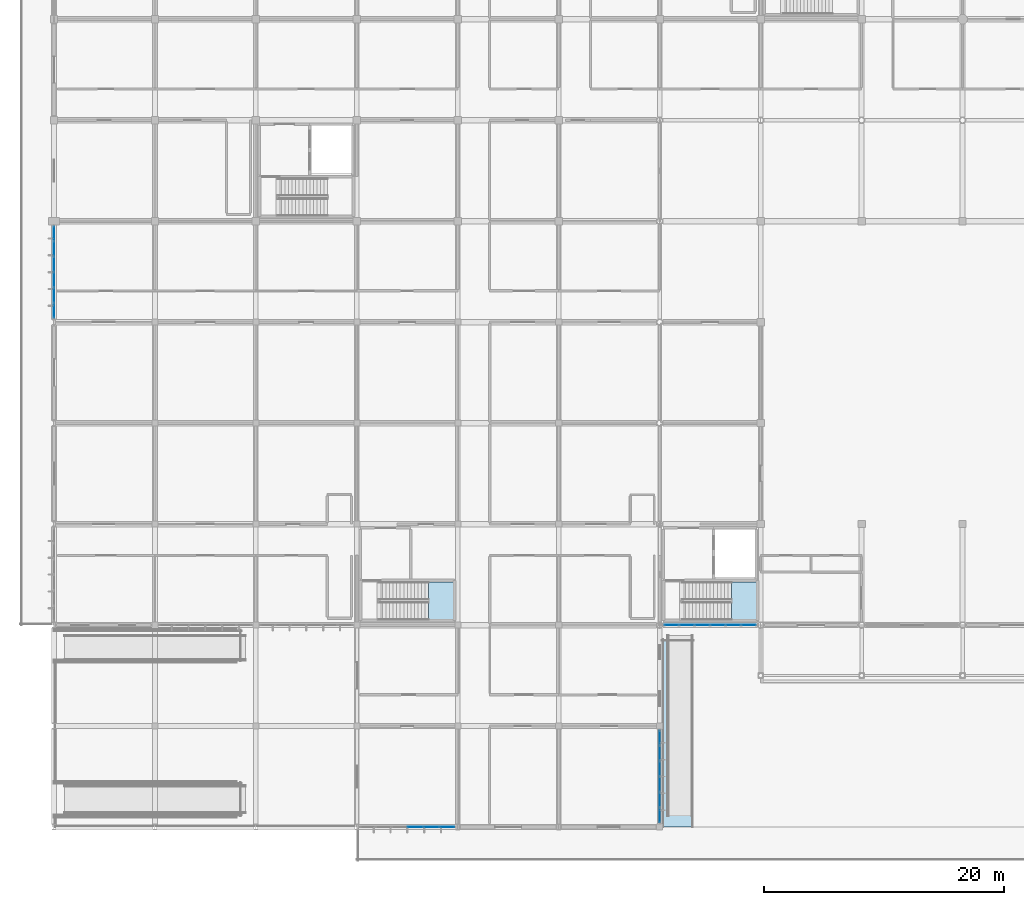
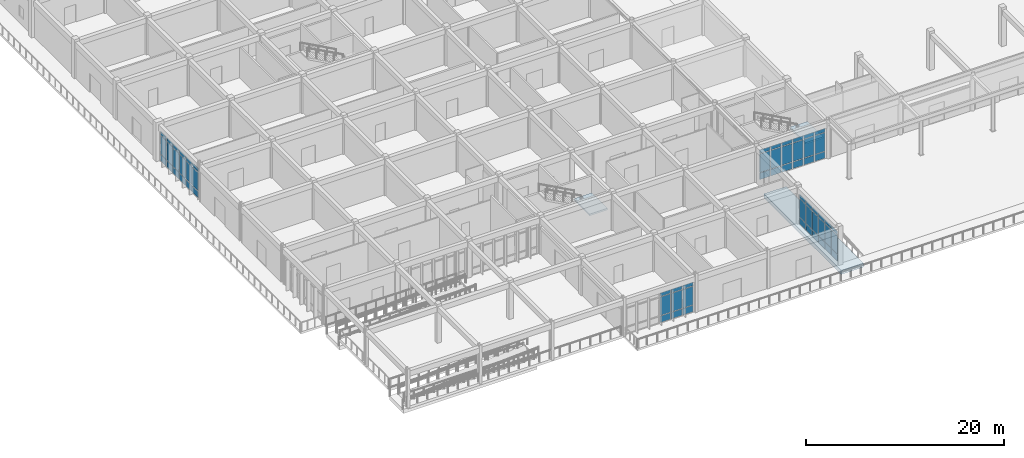
# One storey, part 64 of 138: 63 plates, 3 slabs, 6 elements without a shape of their own.
"""IFC4 building model written with IfcOpenShell, lengths in metres."""

from ifc_helpers import new_model, si_unit, direction, frame, origin, origin_2d, place, context, subcontext, project, spatial, polyline, rectangle, outline, extrude, material, layer, layer_set, type_object, element, aggregate, save


model = new_model("IFC4")

# Units and contexts
model_context = context("Model", 3, precision=1e-05, world=origin(), true_north=direction((0.0, 1.0)))
body_context = subcontext(model_context, "Body", "Model", "MODEL_VIEW")
ifc_project = project(units=[si_unit("LENGTHUNIT", "METRE"), si_unit("AREAUNIT", "SQUARE_METRE"), si_unit("VOLUMEUNIT", "CUBIC_METRE"), si_unit("PLANEANGLEUNIT", "RADIAN"), si_unit("MASSUNIT", "GRAM", prefix="KILO")], contexts=[model_context])

# Site, building, storey
site_placement = place(None, origin())
site = spatial("IfcSite", under=ifc_project, at=site_placement, CompositionType="ELEMENT")
building_placement = place(site_placement, origin())
building = spatial("IfcBuilding", under=site, at=building_placement, Name="Bramfleet General Hospital", CompositionType="ELEMENT")
storey_placement = place(building_placement, origin())
storey = spatial("IfcBuildingStorey", under=building, at=storey_placement, Name="L00", CompositionType="ELEMENT", Elevation=0.0)

# Curtain wall, plates
ifc_material_1 = material(Name="Anodised aluminium and low-E triple glazing", Category="aluminium")
ifc_layer_1 = layer(ifc_material_1, 0.179931640625, Name="CWT-CW-01")
ifc_layer_set_1 = layer_set([ifc_layer_1], Name="Anodised aluminium and low-E triple glazing")
curtain_wall_type_1 = type_object("IfcCurtainWallType", Name="CWT-CW-01", PredefinedType="USERDEFINED", material=ifc_layer_set_1)
curtain_wall_1_placement = place(storey_placement, origin())
curtain_wall_1 = element("IfcCurtainWall", 1, at=curtain_wall_1_placement, inside=storey, type_object=curtain_wall_type_1, Name="L00 Curtain Wall 1", ObjectType="Unitised curtain wall", PredefinedType="USERDEFINED")
ifc_material_2 = material(Name="Low-E laminated safety glass", Category="glass")
ifc_layer_2 = layer(ifc_material_2, 0.028076171875, Name="CWP-GLZ-1")
ifc_layer_set_2 = layer_set([ifc_layer_2], Name="Low-E laminated safety glass")
plate_type_1 = type_object("IfcPlateType", Name="CWP-GLZ-1", PredefinedType="CURTAIN_PANEL", material=ifc_layer_set_2)
plate_1_placement = place(storey_placement, frame((0.0, 42.961181640625, 0.06494140625), z_axis=(0.0, 0.0, 1.0), x_axis=(0.0, 1.0, 0.0)))
plate_1 = element("IfcPlate", 2, at=plate_1_placement, type_object=plate_type_1, Name="CW-01 panel 1.1", PredefinedType="CURTAIN_PANEL", context=body_context, shape_type="SweptSolid", body=[
    extrude(rectangle(XDim=1.1826171875, YDim=0.028076171875, at=origin_2d()), origin(), (0.0, 0.0, 1.0), 0.802490234375),
])
plate_2_placement = place(storey_placement, frame((0.0, 42.961181640625, 0.9326171875), z_axis=(0.0, 0.0, 1.0), x_axis=(0.0, 1.0, 0.0)))
plate_2 = element("IfcPlate", 3, at=plate_2_placement, type_object=plate_type_1, Name="CW-01 panel 1.2", PredefinedType="CURTAIN_PANEL", context=body_context, shape_type="SweptSolid", body=[
    extrude(rectangle(XDim=1.1826171875, YDim=0.028076171875, at=origin_2d()), origin(), (0.0, 0.0, 1.0), 2.27490234375),
])
plate_3_placement = place(storey_placement, frame((0.0, 42.961181640625, 3.2724609375), z_axis=(0.0, 0.0, 1.0), x_axis=(0.0, 1.0, 0.0)))
plate_3 = element("IfcPlate", 4, at=plate_3_placement, type_object=plate_type_1, Name="CW-01 panel 1.3", PredefinedType="CURTAIN_PANEL", context=body_context, shape_type="SweptSolid", body=[
    extrude(rectangle(XDim=1.1826171875, YDim=0.028076171875, at=origin_2d()), origin(), (0.0, 0.0, 1.0), 0.452392578125),
])
plate_4_placement = place(storey_placement, frame((0.0, 44.231201171875, 0.06494140625), z_axis=(0.0, 0.0, 1.0), x_axis=(0.0, 1.0, 0.0)))
plate_4 = element("IfcPlate", 5, at=plate_4_placement, type_object=plate_type_1, Name="CW-01 panel 2.1", PredefinedType="CURTAIN_PANEL", context=body_context, shape_type="SweptSolid", body=[
    extrude(rectangle(XDim=1.217529296875, YDim=0.028076171875, at=origin_2d()), origin(), (0.0, 0.0, 1.0), 0.802490234375),
])
plate_5_placement = place(storey_placement, frame((0.0, 44.231201171875, 0.9326171875), z_axis=(0.0, 0.0, 1.0), x_axis=(0.0, 1.0, 0.0)))
plate_5 = element("IfcPlate", 6, at=plate_5_placement, type_object=plate_type_1, Name="CW-01 panel 2.2", PredefinedType="CURTAIN_PANEL", context=body_context, shape_type="SweptSolid", body=[
    extrude(rectangle(XDim=1.217529296875, YDim=0.028076171875, at=origin_2d()), origin(), (0.0, 0.0, 1.0), 2.27490234375),
])
plate_6_placement = place(storey_placement, frame((0.0, 44.231201171875, 3.2724609375), z_axis=(0.0, 0.0, 1.0), x_axis=(0.0, 1.0, 0.0)))
plate_6 = element("IfcPlate", 7, at=plate_6_placement, type_object=plate_type_1, Name="CW-01 panel 2.3", PredefinedType="CURTAIN_PANEL", context=body_context, shape_type="SweptSolid", body=[
    extrude(rectangle(XDim=1.217529296875, YDim=0.028076171875, at=origin_2d()), origin(), (0.0, 0.0, 1.0), 0.452392578125),
])
plate_7_placement = place(storey_placement, frame((0.0, 45.518798828125, 0.06494140625), z_axis=(0.0, 0.0, 1.0), x_axis=(0.0, 1.0, 0.0)))
plate_7 = element("IfcPlate", 8, at=plate_7_placement, type_object=plate_type_1, Name="CW-01 panel 3.1", PredefinedType="CURTAIN_PANEL", context=body_context, shape_type="SweptSolid", body=[
    extrude(rectangle(XDim=1.217529296875, YDim=0.028076171875, at=origin_2d()), origin(), (0.0, 0.0, 1.0), 0.802490234375),
])
plate_8_placement = place(storey_placement, frame((0.0, 45.518798828125, 0.9326171875), z_axis=(0.0, 0.0, 1.0), x_axis=(0.0, 1.0, 0.0)))
plate_8 = element("IfcPlate", 9, at=plate_8_placement, type_object=plate_type_1, Name="CW-01 panel 3.2", PredefinedType="CURTAIN_PANEL", context=body_context, shape_type="SweptSolid", body=[
    extrude(rectangle(XDim=1.217529296875, YDim=0.028076171875, at=origin_2d()), origin(), (0.0, 0.0, 1.0), 2.27490234375),
])
plate_9_placement = place(storey_placement, frame((0.0, 45.518798828125, 3.2724609375), z_axis=(0.0, 0.0, 1.0), x_axis=(0.0, 1.0, 0.0)))
plate_9 = element("IfcPlate", 10, at=plate_9_placement, type_object=plate_type_1, Name="CW-01 panel 3.3", PredefinedType="CURTAIN_PANEL", context=body_context, shape_type="SweptSolid", body=[
    extrude(rectangle(XDim=1.217529296875, YDim=0.028076171875, at=origin_2d()), origin(), (0.0, 0.0, 1.0), 0.452392578125),
])
plate_10_placement = place(storey_placement, frame((0.0, 46.80615234375, 0.06494140625), z_axis=(0.0, 0.0, 1.0), x_axis=(0.0, 1.0, 0.0)))
plate_10 = element("IfcPlate", 11, at=plate_10_placement, type_object=plate_type_1, Name="CW-01 panel 4.1", PredefinedType="CURTAIN_PANEL", context=body_context, shape_type="SweptSolid", body=[
    extrude(rectangle(XDim=1.217529296875, YDim=0.028076171875, at=origin_2d()), origin(), (0.0, 0.0, 1.0), 0.802490234375),
])
plate_11_placement = place(storey_placement, frame((0.0, 46.80615234375, 0.9326171875), z_axis=(0.0, 0.0, 1.0), x_axis=(0.0, 1.0, 0.0)))
plate_11 = element("IfcPlate", 12, at=plate_11_placement, type_object=plate_type_1, Name="CW-01 panel 4.2", PredefinedType="CURTAIN_PANEL", context=body_context, shape_type="SweptSolid", body=[
    extrude(rectangle(XDim=1.217529296875, YDim=0.028076171875, at=origin_2d()), origin(), (0.0, 0.0, 1.0), 2.27490234375),
])
plate_12_placement = place(storey_placement, frame((0.0, 46.80615234375, 3.2724609375), z_axis=(0.0, 0.0, 1.0), x_axis=(0.0, 1.0, 0.0)))
plate_12 = element("IfcPlate", 13, at=plate_12_placement, type_object=plate_type_1, Name="CW-01 panel 4.3", PredefinedType="CURTAIN_PANEL", context=body_context, shape_type="SweptSolid", body=[
    extrude(rectangle(XDim=1.217529296875, YDim=0.028076171875, at=origin_2d()), origin(), (0.0, 0.0, 1.0), 0.452392578125),
])
plate_13_placement = place(storey_placement, frame((0.0, 48.09375, 0.06494140625), z_axis=(0.0, 0.0, 1.0), x_axis=(0.0, 1.0, 0.0)))
plate_13 = element("IfcPlate", 14, at=plate_13_placement, type_object=plate_type_1, Name="CW-01 panel 5.1", PredefinedType="CURTAIN_PANEL", context=body_context, shape_type="SweptSolid", body=[
    extrude(rectangle(XDim=1.217529296875, YDim=0.028076171875, at=origin_2d()), origin(), (0.0, 0.0, 1.0), 0.802490234375),
])
plate_14_placement = place(storey_placement, frame((0.0, 48.09375, 0.9326171875), z_axis=(0.0, 0.0, 1.0), x_axis=(0.0, 1.0, 0.0)))
plate_14 = element("IfcPlate", 15, at=plate_14_placement, type_object=plate_type_1, Name="CW-01 panel 5.2", PredefinedType="CURTAIN_PANEL", context=body_context, shape_type="SweptSolid", body=[
    extrude(rectangle(XDim=1.217529296875, YDim=0.028076171875, at=origin_2d()), origin(), (0.0, 0.0, 1.0), 2.27490234375),
])
plate_15_placement = place(storey_placement, frame((0.0, 48.09375, 3.2724609375), z_axis=(0.0, 0.0, 1.0), x_axis=(0.0, 1.0, 0.0)))
plate_15 = element("IfcPlate", 16, at=plate_15_placement, type_object=plate_type_1, Name="CW-01 panel 5.3", PredefinedType="CURTAIN_PANEL", context=body_context, shape_type="SweptSolid", body=[
    extrude(rectangle(XDim=1.217529296875, YDim=0.028076171875, at=origin_2d()), origin(), (0.0, 0.0, 1.0), 0.452392578125),
])
plate_16_placement = place(storey_placement, frame((0.0, 49.36376953125, 0.06494140625), z_axis=(0.0, 0.0, 1.0), x_axis=(0.0, 1.0, 0.0)))
plate_16 = element("IfcPlate", 17, at=plate_16_placement, type_object=plate_type_1, Name="CW-01 panel 6.1", PredefinedType="CURTAIN_PANEL", context=body_context, shape_type="SweptSolid", body=[
    extrude(rectangle(XDim=1.1826171875, YDim=0.028076171875, at=origin_2d()), origin(), (0.0, 0.0, 1.0), 0.802490234375),
])
plate_17_placement = place(storey_placement, frame((0.0, 49.36376953125, 0.9326171875), z_axis=(0.0, 0.0, 1.0), x_axis=(0.0, 1.0, 0.0)))
plate_17 = element("IfcPlate", 18, at=plate_17_placement, type_object=plate_type_1, Name="CW-01 panel 6.2", PredefinedType="CURTAIN_PANEL", context=body_context, shape_type="SweptSolid", body=[
    extrude(rectangle(XDim=1.1826171875, YDim=0.028076171875, at=origin_2d()), origin(), (0.0, 0.0, 1.0), 2.27490234375),
])
plate_18_placement = place(storey_placement, frame((0.0, 49.36376953125, 3.2724609375), z_axis=(0.0, 0.0, 1.0), x_axis=(0.0, 1.0, 0.0)))
plate_18 = element("IfcPlate", 19, at=plate_18_placement, type_object=plate_type_1, Name="CW-01 panel 6.3", PredefinedType="CURTAIN_PANEL", context=body_context, shape_type="SweptSolid", body=[
    extrude(rectangle(XDim=1.1826171875, YDim=0.028076171875, at=origin_2d()), origin(), (0.0, 0.0, 1.0), 0.452392578125),
])
aggregate(curtain_wall_1, [plate_1, plate_2, plate_3, plate_4, plate_5, plate_6, plate_7, plate_8, plate_9, plate_10, plate_11, plate_12, plate_13, plate_14, plate_15, plate_16, plate_17, plate_18])

curtain_wall_2_placement = place(storey_placement, origin())
curtain_wall_2 = element("IfcCurtainWall", 20, at=curtain_wall_2_placement, inside=storey, type_object=curtain_wall_type_1, Name="L00 Curtain Wall 37", ObjectType="Unitised curtain wall", PredefinedType="USERDEFINED")
plate_19_placement = place(storey_placement, frame((50.39990234375, 7.41162109375, 0.06494140625), z_axis=(0.0, 0.0, 1.0), x_axis=(0.0, -1.0, 0.0)))
plate_19 = element("IfcPlate", 21, at=plate_19_placement, type_object=plate_type_1, Name="CW-01 panel 1.1", PredefinedType="CURTAIN_PANEL", context=body_context, shape_type="SweptSolid", body=[
    extrude(rectangle(XDim=1.186767578125, YDim=0.028076171875, at=origin_2d()), origin(), (0.0, 0.0, 1.0), 0.802490234375),
])
plate_20_placement = place(storey_placement, frame((50.39990234375, 7.41162109375, 0.9326171875), z_axis=(0.0, 0.0, 1.0), x_axis=(0.0, -1.0, 0.0)))
plate_20 = element("IfcPlate", 22, at=plate_20_placement, type_object=plate_type_1, Name="CW-01 panel 1.2", PredefinedType="CURTAIN_PANEL", context=body_context, shape_type="SweptSolid", body=[
    extrude(rectangle(XDim=1.186767578125, YDim=0.028076171875, at=origin_2d()), origin(), (0.0, 0.0, 1.0), 2.27490234375),
])
plate_21_placement = place(storey_placement, frame((50.39990234375, 7.41162109375, 3.2724609375), z_axis=(0.0, 0.0, 1.0), x_axis=(0.0, -1.0, 0.0)))
plate_21 = element("IfcPlate", 23, at=plate_21_placement, type_object=plate_type_1, Name="CW-01 panel 1.3", PredefinedType="CURTAIN_PANEL", context=body_context, shape_type="SweptSolid", body=[
    extrude(rectangle(XDim=1.186767578125, YDim=0.028076171875, at=origin_2d()), origin(), (0.0, 0.0, 1.0), 0.452392578125),
])
plate_22_placement = place(storey_placement, frame((50.39990234375, 6.137451171875, 0.06494140625), z_axis=(0.0, 0.0, 1.0), x_axis=(0.0, -1.0, 0.0)))
plate_22 = element("IfcPlate", 24, at=plate_22_placement, type_object=plate_type_1, Name="CW-01 panel 2.1", PredefinedType="CURTAIN_PANEL", context=body_context, shape_type="SweptSolid", body=[
    extrude(rectangle(XDim=1.2216796875, YDim=0.028076171875, at=origin_2d()), origin(), (0.0, 0.0, 1.0), 0.802490234375),
])
plate_23_placement = place(storey_placement, frame((50.39990234375, 6.137451171875, 0.9326171875), z_axis=(0.0, 0.0, 1.0), x_axis=(0.0, -1.0, 0.0)))
plate_23 = element("IfcPlate", 25, at=plate_23_placement, type_object=plate_type_1, Name="CW-01 panel 2.2", PredefinedType="CURTAIN_PANEL", context=body_context, shape_type="SweptSolid", body=[
    extrude(rectangle(XDim=1.2216796875, YDim=0.028076171875, at=origin_2d()), origin(), (0.0, 0.0, 1.0), 2.27490234375),
])
plate_24_placement = place(storey_placement, frame((50.39990234375, 6.137451171875, 3.2724609375), z_axis=(0.0, 0.0, 1.0), x_axis=(0.0, -1.0, 0.0)))
plate_24 = element("IfcPlate", 26, at=plate_24_placement, type_object=plate_type_1, Name="CW-01 panel 2.3", PredefinedType="CURTAIN_PANEL", context=body_context, shape_type="SweptSolid", body=[
    extrude(rectangle(XDim=1.2216796875, YDim=0.028076171875, at=origin_2d()), origin(), (0.0, 0.0, 1.0), 0.452392578125),
])
plate_25_placement = place(storey_placement, frame((50.39990234375, 4.845947265625, 0.06494140625), z_axis=(0.0, 0.0, 1.0), x_axis=(0.0, -1.0, 0.0)))
plate_25 = element("IfcPlate", 27, at=plate_25_placement, type_object=plate_type_1, Name="CW-01 panel 3.1", PredefinedType="CURTAIN_PANEL", context=body_context, shape_type="SweptSolid", body=[
    extrude(rectangle(XDim=1.2216796875, YDim=0.028076171875, at=origin_2d()), origin(), (0.0, 0.0, 1.0), 0.802490234375),
])
plate_26_placement = place(storey_placement, frame((50.39990234375, 4.845947265625, 0.9326171875), z_axis=(0.0, 0.0, 1.0), x_axis=(0.0, -1.0, 0.0)))
plate_26 = element("IfcPlate", 28, at=plate_26_placement, type_object=plate_type_1, Name="CW-01 panel 3.2", PredefinedType="CURTAIN_PANEL", context=body_context, shape_type="SweptSolid", body=[
    extrude(rectangle(XDim=1.2216796875, YDim=0.028076171875, at=origin_2d()), origin(), (0.0, 0.0, 1.0), 2.27490234375),
])
plate_27_placement = place(storey_placement, frame((50.39990234375, 4.845947265625, 3.2724609375), z_axis=(0.0, 0.0, 1.0), x_axis=(0.0, -1.0, 0.0)))
plate_27 = element("IfcPlate", 29, at=plate_27_placement, type_object=plate_type_1, Name="CW-01 panel 3.3", PredefinedType="CURTAIN_PANEL", context=body_context, shape_type="SweptSolid", body=[
    extrude(rectangle(XDim=1.2216796875, YDim=0.028076171875, at=origin_2d()), origin(), (0.0, 0.0, 1.0), 0.452392578125),
])
plate_28_placement = place(storey_placement, frame((50.39990234375, 3.55419921875, 0.06494140625), z_axis=(0.0, 0.0, 1.0), x_axis=(0.0, -1.0, 0.0)))
plate_28 = element("IfcPlate", 30, at=plate_28_placement, type_object=plate_type_1, Name="CW-01 panel 4.1", PredefinedType="CURTAIN_PANEL", context=body_context, shape_type="SweptSolid", body=[
    extrude(rectangle(XDim=1.2216796875, YDim=0.028076171875, at=origin_2d()), origin(), (0.0, 0.0, 1.0), 0.802490234375),
])
plate_29_placement = place(storey_placement, frame((50.39990234375, 3.55419921875, 0.9326171875), z_axis=(0.0, 0.0, 1.0), x_axis=(0.0, -1.0, 0.0)))
plate_29 = element("IfcPlate", 31, at=plate_29_placement, type_object=plate_type_1, Name="CW-01 panel 4.2", PredefinedType="CURTAIN_PANEL", context=body_context, shape_type="SweptSolid", body=[
    extrude(rectangle(XDim=1.2216796875, YDim=0.028076171875, at=origin_2d()), origin(), (0.0, 0.0, 1.0), 2.27490234375),
])
plate_30_placement = place(storey_placement, frame((50.39990234375, 3.55419921875, 3.2724609375), z_axis=(0.0, 0.0, 1.0), x_axis=(0.0, -1.0, 0.0)))
plate_30 = element("IfcPlate", 32, at=plate_30_placement, type_object=plate_type_1, Name="CW-01 panel 4.3", PredefinedType="CURTAIN_PANEL", context=body_context, shape_type="SweptSolid", body=[
    extrude(rectangle(XDim=1.2216796875, YDim=0.028076171875, at=origin_2d()), origin(), (0.0, 0.0, 1.0), 0.452392578125),
])
plate_31_placement = place(storey_placement, frame((50.39990234375, 2.262451171875, 0.06494140625), z_axis=(0.0, 0.0, 1.0), x_axis=(0.0, -1.0, 0.0)))
plate_31 = element("IfcPlate", 33, at=plate_31_placement, type_object=plate_type_1, Name="CW-01 panel 5.1", PredefinedType="CURTAIN_PANEL", context=body_context, shape_type="SweptSolid", body=[
    extrude(rectangle(XDim=1.2216796875, YDim=0.028076171875, at=origin_2d()), origin(), (0.0, 0.0, 1.0), 0.802490234375),
])
plate_32_placement = place(storey_placement, frame((50.39990234375, 2.262451171875, 0.9326171875), z_axis=(0.0, 0.0, 1.0), x_axis=(0.0, -1.0, 0.0)))
plate_32 = element("IfcPlate", 34, at=plate_32_placement, type_object=plate_type_1, Name="CW-01 panel 5.2", PredefinedType="CURTAIN_PANEL", context=body_context, shape_type="SweptSolid", body=[
    extrude(rectangle(XDim=1.2216796875, YDim=0.028076171875, at=origin_2d()), origin(), (0.0, 0.0, 1.0), 2.27490234375),
])
plate_33_placement = place(storey_placement, frame((50.39990234375, 2.262451171875, 3.2724609375), z_axis=(0.0, 0.0, 1.0), x_axis=(0.0, -1.0, 0.0)))
plate_33 = element("IfcPlate", 35, at=plate_33_placement, type_object=plate_type_1, Name="CW-01 panel 5.3", PredefinedType="CURTAIN_PANEL", context=body_context, shape_type="SweptSolid", body=[
    extrude(rectangle(XDim=1.2216796875, YDim=0.028076171875, at=origin_2d()), origin(), (0.0, 0.0, 1.0), 0.452392578125),
])
plate_34_placement = place(storey_placement, frame((50.39990234375, 0.98828125, 0.06494140625), z_axis=(0.0, 0.0, 1.0), x_axis=(0.0, -1.0, 0.0)))
plate_34 = element("IfcPlate", 36, at=plate_34_placement, type_object=plate_type_1, Name="CW-01 panel 6.1", PredefinedType="CURTAIN_PANEL", context=body_context, shape_type="SweptSolid", body=[
    extrude(rectangle(XDim=1.186767578125, YDim=0.028076171875, at=origin_2d()), origin(), (0.0, 0.0, 1.0), 0.802490234375),
])
plate_35_placement = place(storey_placement, frame((50.39990234375, 0.98828125, 0.9326171875), z_axis=(0.0, 0.0, 1.0), x_axis=(0.0, -1.0, 0.0)))
plate_35 = element("IfcPlate", 37, at=plate_35_placement, type_object=plate_type_1, Name="CW-01 panel 6.2", PredefinedType="CURTAIN_PANEL", context=body_context, shape_type="SweptSolid", body=[
    extrude(rectangle(XDim=1.186767578125, YDim=0.028076171875, at=origin_2d()), origin(), (0.0, 0.0, 1.0), 2.27490234375),
])
plate_36_placement = place(storey_placement, frame((50.39990234375, 0.98828125, 3.2724609375), z_axis=(0.0, 0.0, 1.0), x_axis=(0.0, -1.0, 0.0)))
plate_36 = element("IfcPlate", 38, at=plate_36_placement, type_object=plate_type_1, Name="CW-01 panel 6.3", PredefinedType="CURTAIN_PANEL", context=body_context, shape_type="SweptSolid", body=[
    extrude(rectangle(XDim=1.186767578125, YDim=0.028076171875, at=origin_2d()), origin(), (0.0, 0.0, 1.0), 0.452392578125),
])
aggregate(curtain_wall_2, [plate_19, plate_20, plate_21, plate_22, plate_23, plate_24, plate_25, plate_26, plate_27, plate_28, plate_29, plate_30, plate_31, plate_32, plate_33, plate_34, plate_35, plate_36])

ifc_layer_3 = layer(ifc_material_1, 0.179931640625, Name="CWT-CW-02")
ifc_layer_set_3 = layer_set([ifc_layer_3], Name="Anodised aluminium and low-E triple glazing")
curtain_wall_type_2 = type_object("IfcCurtainWallType", Name="CWT-CW-02", PredefinedType="USERDEFINED", material=ifc_layer_set_3)
curtain_wall_3_placement = place(storey_placement, origin())
curtain_wall_3 = element("IfcCurtainWall", 39, at=curtain_wall_3_placement, inside=storey, type_object=curtain_wall_type_2, Name="L00 Curtain Wall 38", ObjectType="Unitised curtain wall", PredefinedType="USERDEFINED")
ifc_layer_4 = layer(ifc_material_2, 0.031982421875, Name="CWP-GLZ-2")
ifc_layer_set_4 = layer_set([ifc_layer_4], Name="Low-E laminated safety glass")
plate_type_2 = type_object("IfcPlateType", Name="CWP-GLZ-2", PredefinedType="CURTAIN_PANEL", material=ifc_layer_set_4)
plate_37_placement = place(storey_placement, frame((32.695068359375, 0.0, 0.06494140625), z_axis=(0.0, 0.0, 1.0), x_axis=(-1.0, 0.0, 0.0)))
plate_37 = element("IfcPlate", 40, at=plate_37_placement, type_object=plate_type_2, Name="CW-02 panel 1.1", PredefinedType="CURTAIN_PANEL", context=body_context, shape_type="SweptSolid", body=[
    extrude(rectangle(XDim=1.219970703125, YDim=0.031982421875, at=origin_2d()), origin(), (0.0, 0.0, 1.0), 0.802490234375),
])
plate_38_placement = place(storey_placement, frame((32.695068359375, 0.0, 0.9326171875), z_axis=(0.0, 0.0, 1.0), x_axis=(-1.0, 0.0, 0.0)))
plate_38 = element("IfcPlate", 41, at=plate_38_placement, type_object=plate_type_2, Name="CW-02 panel 1.2", PredefinedType="CURTAIN_PANEL", context=body_context, shape_type="SweptSolid", body=[
    extrude(rectangle(XDim=1.219970703125, YDim=0.031982421875, at=origin_2d()), origin(), (0.0, 0.0, 1.0), 2.27490234375),
])
plate_39_placement = place(storey_placement, frame((32.695068359375, 0.0, 3.2724609375), z_axis=(0.0, 0.0, 1.0), x_axis=(-1.0, 0.0, 0.0)))
plate_39 = element("IfcPlate", 42, at=plate_39_placement, type_object=plate_type_2, Name="CW-02 panel 1.3", PredefinedType="CURTAIN_PANEL", context=body_context, shape_type="SweptSolid", body=[
    extrude(rectangle(XDim=1.219970703125, YDim=0.031982421875, at=origin_2d()), origin(), (0.0, 0.0, 1.0), 0.452392578125),
])
plate_40_placement = place(storey_placement, frame((31.387451171875, 0.0, 0.06494140625), z_axis=(0.0, 0.0, 1.0), x_axis=(-1.0, 0.0, 0.0)))
plate_40 = element("IfcPlate", 43, at=plate_40_placement, type_object=plate_type_2, Name="CW-02 panel 2.1", PredefinedType="CURTAIN_PANEL", context=body_context, shape_type="SweptSolid", body=[
    extrude(rectangle(XDim=1.2548828125, YDim=0.031982421875, at=origin_2d()), origin(), (0.0, 0.0, 1.0), 0.802490234375),
])
plate_41_placement = place(storey_placement, frame((31.387451171875, 0.0, 0.9326171875), z_axis=(0.0, 0.0, 1.0), x_axis=(-1.0, 0.0, 0.0)))
plate_41 = element("IfcPlate", 44, at=plate_41_placement, type_object=plate_type_2, Name="CW-02 panel 2.2", PredefinedType="CURTAIN_PANEL", context=body_context, shape_type="SweptSolid", body=[
    extrude(rectangle(XDim=1.2548828125, YDim=0.031982421875, at=origin_2d()), origin(), (0.0, 0.0, 1.0), 2.27490234375),
])
plate_42_placement = place(storey_placement, frame((31.387451171875, 0.0, 3.2724609375), z_axis=(0.0, 0.0, 1.0), x_axis=(-1.0, 0.0, 0.0)))
plate_42 = element("IfcPlate", 45, at=plate_42_placement, type_object=plate_type_2, Name="CW-02 panel 2.3", PredefinedType="CURTAIN_PANEL", context=body_context, shape_type="SweptSolid", body=[
    extrude(rectangle(XDim=1.2548828125, YDim=0.031982421875, at=origin_2d()), origin(), (0.0, 0.0, 1.0), 0.452392578125),
])
plate_43_placement = place(storey_placement, frame((30.0625, 0.0, 0.06494140625), z_axis=(0.0, 0.0, 1.0), x_axis=(-1.0, 0.0, 0.0)))
plate_43 = element("IfcPlate", 46, at=plate_43_placement, type_object=plate_type_2, Name="CW-02 panel 3.1", PredefinedType="CURTAIN_PANEL", context=body_context, shape_type="SweptSolid", body=[
    extrude(rectangle(XDim=1.2548828125, YDim=0.031982421875, at=origin_2d()), origin(), (0.0, 0.0, 1.0), 0.802490234375),
])
plate_44_placement = place(storey_placement, frame((30.0625, 0.0, 0.9326171875), z_axis=(0.0, 0.0, 1.0), x_axis=(-1.0, 0.0, 0.0)))
plate_44 = element("IfcPlate", 47, at=plate_44_placement, type_object=plate_type_2, Name="CW-02 panel 3.2", PredefinedType="CURTAIN_PANEL", context=body_context, shape_type="SweptSolid", body=[
    extrude(rectangle(XDim=1.2548828125, YDim=0.031982421875, at=origin_2d()), origin(), (0.0, 0.0, 1.0), 2.27490234375),
])
plate_45_placement = place(storey_placement, frame((30.0625, 0.0, 3.2724609375), z_axis=(0.0, 0.0, 1.0), x_axis=(-1.0, 0.0, 0.0)))
plate_45 = element("IfcPlate", 48, at=plate_45_placement, type_object=plate_type_2, Name="CW-02 panel 3.3", PredefinedType="CURTAIN_PANEL", context=body_context, shape_type="SweptSolid", body=[
    extrude(rectangle(XDim=1.2548828125, YDim=0.031982421875, at=origin_2d()), origin(), (0.0, 0.0, 1.0), 0.452392578125),
])
aggregate(curtain_wall_3, [plate_37, plate_38, plate_39, plate_40, plate_41, plate_42, plate_43, plate_44, plate_45])

ifc_layer_5 = layer(ifc_material_1, 0.179931640625, Name="CWT-CW-18")
ifc_layer_set_5 = layer_set([ifc_layer_5], Name="Anodised aluminium and low-E triple glazing")
curtain_wall_type_3 = type_object("IfcCurtainWallType", Name="CWT-CW-18", PredefinedType="USERDEFINED", material=ifc_layer_set_5)
curtain_wall_4_placement = place(storey_placement, origin())
curtain_wall_4 = element("IfcCurtainWall", 49, at=curtain_wall_4_placement, inside=storey, type_object=curtain_wall_type_3, Name="L00 Curtain Wall 36", ObjectType="Stick curtain wall", PredefinedType="USERDEFINED")
ifc_layer_6 = layer(ifc_material_2, 0.0419921875, Name="CWP-GLZ-4")
ifc_layer_set_6 = layer_set([ifc_layer_6], Name="Low-E laminated safety glass")
plate_type_3 = type_object("IfcPlateType", Name="CWP-GLZ-4", PredefinedType="CURTAIN_PANEL", material=ifc_layer_set_6)
plate_46_placement = place(storey_placement, frame((57.80712890625, 16.800048828125, 0.06494140625), z_axis=(0.0, 0.0, 1.0), x_axis=(-1.0, 0.0, 0.0)))
plate_46 = element("IfcPlate", 50, at=plate_46_placement, type_object=plate_type_3, Name="CW-18 panel 1.1", PredefinedType="CURTAIN_PANEL", context=body_context, shape_type="SweptSolid", body=[
    extrude(rectangle(XDim=1.177734375, YDim=0.0419921875, at=origin_2d()), origin(), (0.0, 0.0, 1.0), 0.802490234375),
])
plate_47_placement = place(storey_placement, frame((57.80712890625, 16.800048828125, 0.9326171875), z_axis=(0.0, 0.0, 1.0), x_axis=(-1.0, 0.0, 0.0)))
plate_47 = element("IfcPlate", 51, at=plate_47_placement, type_object=plate_type_3, Name="CW-18 panel 1.2", PredefinedType="CURTAIN_PANEL", context=body_context, shape_type="SweptSolid", body=[
    extrude(rectangle(XDim=1.177734375, YDim=0.0419921875, at=origin_2d()), origin(), (0.0, 0.0, 1.0), 2.27490234375),
])
plate_48_placement = place(storey_placement, frame((57.80712890625, 16.800048828125, 3.2724609375), z_axis=(0.0, 0.0, 1.0), x_axis=(-1.0, 0.0, 0.0)))
plate_48 = element("IfcPlate", 52, at=plate_48_placement, type_object=plate_type_3, Name="CW-18 panel 1.3", PredefinedType="CURTAIN_PANEL", context=body_context, shape_type="SweptSolid", body=[
    extrude(rectangle(XDim=1.177734375, YDim=0.0419921875, at=origin_2d()), origin(), (0.0, 0.0, 1.0), 0.452392578125),
])
plate_49_placement = place(storey_placement, frame((56.535400390625, 16.800048828125, 0.06494140625), z_axis=(0.0, 0.0, 1.0), x_axis=(-1.0, 0.0, 0.0)))
plate_49 = element("IfcPlate", 53, at=plate_49_placement, type_object=plate_type_3, Name="CW-18 panel 2.1", PredefinedType="CURTAIN_PANEL", context=body_context, shape_type="SweptSolid", body=[
    extrude(rectangle(XDim=1.21533203125, YDim=0.0419921875, at=origin_2d()), origin(), (0.0, 0.0, 1.0), 0.802490234375),
])
plate_50_placement = place(storey_placement, frame((56.535400390625, 16.800048828125, 0.9326171875), z_axis=(0.0, 0.0, 1.0), x_axis=(-1.0, 0.0, 0.0)))
plate_50 = element("IfcPlate", 54, at=plate_50_placement, type_object=plate_type_3, Name="CW-18 panel 2.2", PredefinedType="CURTAIN_PANEL", context=body_context, shape_type="SweptSolid", body=[
    extrude(rectangle(XDim=1.21533203125, YDim=0.0419921875, at=origin_2d()), origin(), (0.0, 0.0, 1.0), 2.27490234375),
])
plate_51_placement = place(storey_placement, frame((56.535400390625, 16.800048828125, 3.2724609375), z_axis=(0.0, 0.0, 1.0), x_axis=(-1.0, 0.0, 0.0)))
plate_51 = element("IfcPlate", 55, at=plate_51_placement, type_object=plate_type_3, Name="CW-18 panel 2.3", PredefinedType="CURTAIN_PANEL", context=body_context, shape_type="SweptSolid", body=[
    extrude(rectangle(XDim=1.21533203125, YDim=0.0419921875, at=origin_2d()), origin(), (0.0, 0.0, 1.0), 0.452392578125),
])
plate_52_placement = place(storey_placement, frame((55.2451171875, 16.800048828125, 0.06494140625), z_axis=(0.0, 0.0, 1.0), x_axis=(-1.0, 0.0, 0.0)))
plate_52 = element("IfcPlate", 56, at=plate_52_placement, type_object=plate_type_3, Name="CW-18 panel 3.1", PredefinedType="CURTAIN_PANEL", context=body_context, shape_type="SweptSolid", body=[
    extrude(rectangle(XDim=1.21533203125, YDim=0.0419921875, at=origin_2d()), origin(), (0.0, 0.0, 1.0), 0.802490234375),
])
plate_53_placement = place(storey_placement, frame((55.2451171875, 16.800048828125, 0.9326171875), z_axis=(0.0, 0.0, 1.0), x_axis=(-1.0, 0.0, 0.0)))
plate_53 = element("IfcPlate", 57, at=plate_53_placement, type_object=plate_type_3, Name="CW-18 panel 3.2", PredefinedType="CURTAIN_PANEL", context=body_context, shape_type="SweptSolid", body=[
    extrude(rectangle(XDim=1.21533203125, YDim=0.0419921875, at=origin_2d()), origin(), (0.0, 0.0, 1.0), 2.27490234375),
])
plate_54_placement = place(storey_placement, frame((55.2451171875, 16.800048828125, 3.2724609375), z_axis=(0.0, 0.0, 1.0), x_axis=(-1.0, 0.0, 0.0)))
plate_54 = element("IfcPlate", 58, at=plate_54_placement, type_object=plate_type_3, Name="CW-18 panel 3.3", PredefinedType="CURTAIN_PANEL", context=body_context, shape_type="SweptSolid", body=[
    extrude(rectangle(XDim=1.21533203125, YDim=0.0419921875, at=origin_2d()), origin(), (0.0, 0.0, 1.0), 0.452392578125),
])
plate_55_placement = place(storey_placement, frame((53.954833984375, 16.800048828125, 0.06494140625), z_axis=(0.0, 0.0, 1.0), x_axis=(-1.0, 0.0, 0.0)))
plate_55 = element("IfcPlate", 59, at=plate_55_placement, type_object=plate_type_3, Name="CW-18 panel 4.1", PredefinedType="CURTAIN_PANEL", context=body_context, shape_type="SweptSolid", body=[
    extrude(rectangle(XDim=1.21533203125, YDim=0.0419921875, at=origin_2d()), origin(), (0.0, 0.0, 1.0), 0.802490234375),
])
plate_56_placement = place(storey_placement, frame((53.954833984375, 16.800048828125, 0.9326171875), z_axis=(0.0, 0.0, 1.0), x_axis=(-1.0, 0.0, 0.0)))
plate_56 = element("IfcPlate", 60, at=plate_56_placement, type_object=plate_type_3, Name="CW-18 panel 4.2", PredefinedType="CURTAIN_PANEL", context=body_context, shape_type="SweptSolid", body=[
    extrude(rectangle(XDim=1.21533203125, YDim=0.0419921875, at=origin_2d()), origin(), (0.0, 0.0, 1.0), 2.27490234375),
])
plate_57_placement = place(storey_placement, frame((53.954833984375, 16.800048828125, 3.2724609375), z_axis=(0.0, 0.0, 1.0), x_axis=(-1.0, 0.0, 0.0)))
plate_57 = element("IfcPlate", 61, at=plate_57_placement, type_object=plate_type_3, Name="CW-18 panel 4.3", PredefinedType="CURTAIN_PANEL", context=body_context, shape_type="SweptSolid", body=[
    extrude(rectangle(XDim=1.21533203125, YDim=0.0419921875, at=origin_2d()), origin(), (0.0, 0.0, 1.0), 0.452392578125),
])
plate_58_placement = place(storey_placement, frame((52.66455078125, 16.800048828125, 0.06494140625), z_axis=(0.0, 0.0, 1.0), x_axis=(-1.0, 0.0, 0.0)))
plate_58 = element("IfcPlate", 62, at=plate_58_placement, type_object=plate_type_3, Name="CW-18 panel 5.1", PredefinedType="CURTAIN_PANEL", context=body_context, shape_type="SweptSolid", body=[
    extrude(rectangle(XDim=1.21533203125, YDim=0.0419921875, at=origin_2d()), origin(), (0.0, 0.0, 1.0), 0.802490234375),
])
plate_59_placement = place(storey_placement, frame((52.66455078125, 16.800048828125, 0.9326171875), z_axis=(0.0, 0.0, 1.0), x_axis=(-1.0, 0.0, 0.0)))
plate_59 = element("IfcPlate", 63, at=plate_59_placement, type_object=plate_type_3, Name="CW-18 panel 5.2", PredefinedType="CURTAIN_PANEL", context=body_context, shape_type="SweptSolid", body=[
    extrude(rectangle(XDim=1.21533203125, YDim=0.0419921875, at=origin_2d()), origin(), (0.0, 0.0, 1.0), 2.27490234375),
])
plate_60_placement = place(storey_placement, frame((52.66455078125, 16.800048828125, 3.2724609375), z_axis=(0.0, 0.0, 1.0), x_axis=(-1.0, 0.0, 0.0)))
plate_60 = element("IfcPlate", 64, at=plate_60_placement, type_object=plate_type_3, Name="CW-18 panel 5.3", PredefinedType="CURTAIN_PANEL", context=body_context, shape_type="SweptSolid", body=[
    extrude(rectangle(XDim=1.21533203125, YDim=0.0419921875, at=origin_2d()), origin(), (0.0, 0.0, 1.0), 0.452392578125),
])
plate_61_placement = place(storey_placement, frame((51.392822265625, 16.800048828125, 0.06494140625), z_axis=(0.0, 0.0, 1.0), x_axis=(-1.0, 0.0, 0.0)))
plate_61 = element("IfcPlate", 65, at=plate_61_placement, type_object=plate_type_3, Name="CW-18 panel 6.1", PredefinedType="CURTAIN_PANEL", context=body_context, shape_type="SweptSolid", body=[
    extrude(rectangle(XDim=1.177734375, YDim=0.0419921875, at=origin_2d()), origin(), (0.0, 0.0, 1.0), 0.802490234375),
])
plate_62_placement = place(storey_placement, frame((51.392822265625, 16.800048828125, 0.9326171875), z_axis=(0.0, 0.0, 1.0), x_axis=(-1.0, 0.0, 0.0)))
plate_62 = element("IfcPlate", 66, at=plate_62_placement, type_object=plate_type_3, Name="CW-18 panel 6.2", PredefinedType="CURTAIN_PANEL", context=body_context, shape_type="SweptSolid", body=[
    extrude(rectangle(XDim=1.177734375, YDim=0.0419921875, at=origin_2d()), origin(), (0.0, 0.0, 1.0), 2.27490234375),
])
plate_63_placement = place(storey_placement, frame((51.392822265625, 16.800048828125, 3.2724609375), z_axis=(0.0, 0.0, 1.0), x_axis=(-1.0, 0.0, 0.0)))
plate_63 = element("IfcPlate", 67, at=plate_63_placement, type_object=plate_type_3, Name="CW-18 panel 6.3", PredefinedType="CURTAIN_PANEL", context=body_context, shape_type="SweptSolid", body=[
    extrude(rectangle(XDim=1.177734375, YDim=0.0419921875, at=origin_2d()), origin(), (0.0, 0.0, 1.0), 0.452392578125),
])
aggregate(curtain_wall_4, [plate_46, plate_47, plate_48, plate_49, plate_50, plate_51, plate_52, plate_53, plate_54, plate_55, plate_56, plate_57, plate_58, plate_59, plate_60, plate_61, plate_62, plate_63])

# Slab
ifc_material_3 = material(Name="Concrete C35/45", Category="concrete")
ifc_layer_7 = layer(ifc_material_3, 0.5, Name="SL-BASE-500")
ifc_layer_set_7 = layer_set([ifc_layer_7], Name="Concrete C35/45")
slab_type_1 = type_object("IfcSlabType", Name="SL-BASE-500", PredefinedType="BASESLAB", material=ifc_layer_set_7)
slab_1_placement = place(storey_placement, frame((0.0, 0.0, -1.39990234375)))
element("IfcSlab", 68, at=slab_1_placement, inside=storey, type_object=slab_type_1, Name="Grounded Ramp Pocket Slab 1", PredefinedType="BASESLAB", context=body_context, shape_type="SweptSolid", body=[
    extrude(outline(polyline([(50.60009765625, 0.0), (53.199951171875, 0.0), (53.199951171875, 15.60009765625), (50.60009765625, 15.60009765625), (50.60009765625, 0.0)])), origin(), (0.0, 0.0, 1.0), 0.5),
])

# Stair, slab
stair_type = type_object("IfcStairType", Name="STR-T2", PredefinedType="HALF_TURN_STAIR", material=ifc_material_3)
stair_1_placement = place(storey_placement, origin())
stair_1 = element("IfcStair", 69, at=stair_1_placement, inside=storey, type_object=stair_type, Name="L00 Core C1 (Main Hall & Forecourt) Protected Escape Stair", PredefinedType="HALF_TURN_STAIR")
ifc_layer_8 = layer(ifc_material_3, 0.199951171875, Name="SL-LND-200")
ifc_layer_set_8 = layer_set([ifc_layer_8], Name="Concrete C35/45")
slab_type_2 = type_object("IfcSlabType", Name="SL-LND-200", PredefinedType="LANDING", material=ifc_layer_set_8)
slab_2_placement = place(storey_placement, frame((0.0, 0.0, 2.199951171875)))
slab_2 = element("IfcSlab", 70, at=slab_2_placement, type_object=slab_type_2, Name="ST-C1 landing 1", PredefinedType="LANDING", context=body_context, shape_type="SweptSolid", body=[
    extrude(outline(polyline([(56.3701171875, 17.219970703125), (58.4599609375, 17.219970703125), (58.4599609375, 20.3798828125), (56.3701171875, 20.3798828125), (56.3701171875, 17.219970703125)])), origin(), (0.0, 0.0, 1.0), 0.199951171875),
])
aggregate(stair_1, [slab_2])

stair_2_placement = place(storey_placement, origin())
stair_2 = element("IfcStair", 71, at=stair_2_placement, inside=storey, type_object=stair_type, Name="L00 Core C7 (South-West Emergency Escape) Protected Escape Stair", PredefinedType="HALF_TURN_STAIR")
slab_3_placement = place(storey_placement, frame((0.0, 0.0, 2.199951171875)))
slab_3 = element("IfcSlab", 72, at=slab_3_placement, type_object=slab_type_2, Name="ST-C7 landing 1", PredefinedType="LANDING", context=body_context, shape_type="SweptSolid", body=[
    extrude(outline(polyline([(31.169921875, 17.219970703125), (33.260009765625, 17.219970703125), (33.260009765625, 20.3798828125), (31.169921875, 20.3798828125), (31.169921875, 17.219970703125)])), origin(), (0.0, 0.0, 1.0), 0.199951171875),
])
aggregate(stair_2, [slab_3])

save(model, "model.ifc")
